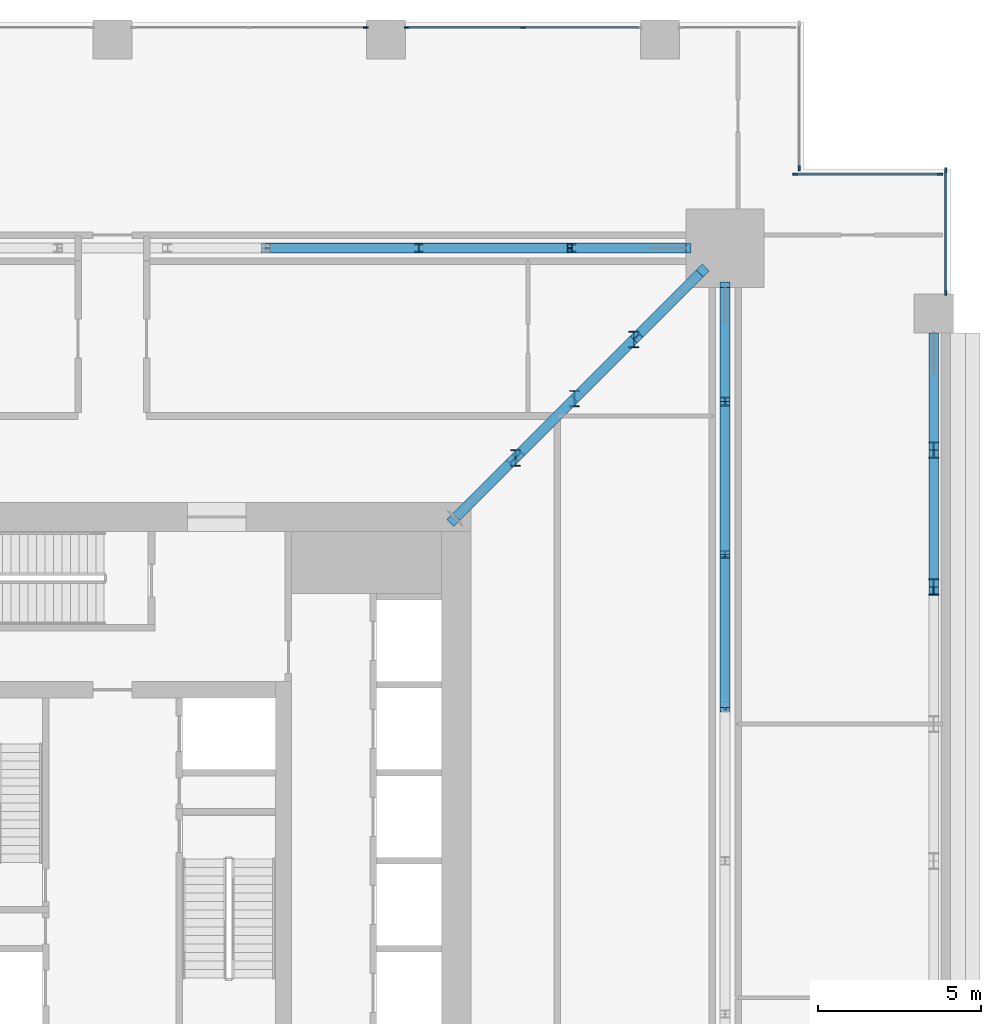
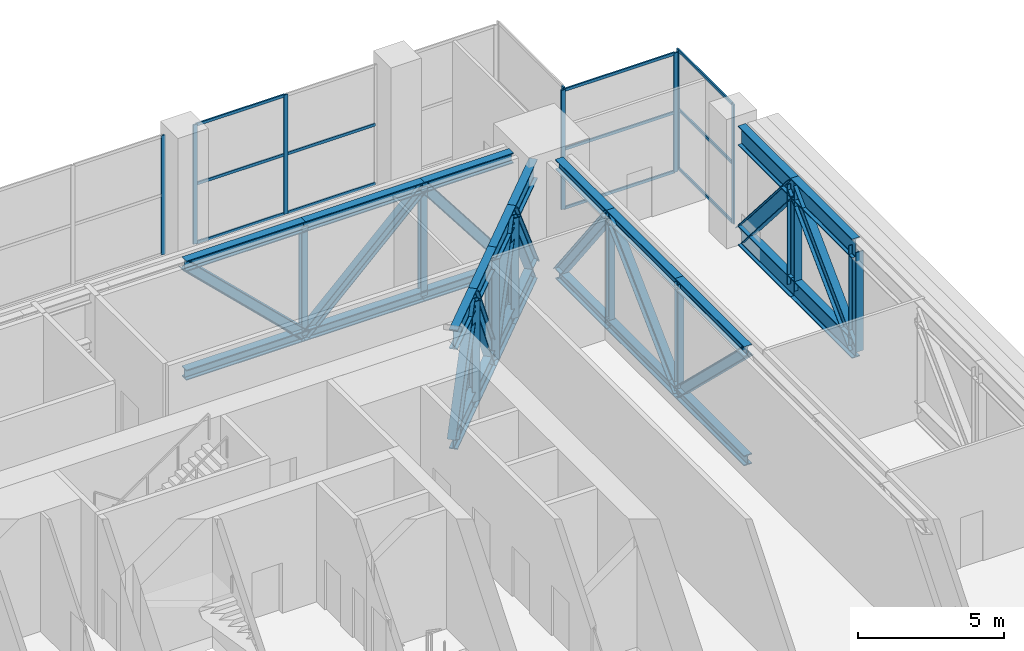
# One storey, part 9 of 21: 64 members, 5 elements without a shape of their own.
"""IFC4 building model written with IfcOpenShell, lengths in metres."""

from ifc_helpers import new_model, si_unit, direction, frame, origin, origin_2d, place, context, subcontext, project, spatial, rectangle, i_section, extrude, material, material_profile, profile_set, type_object, element, aggregate, save


model = new_model("IFC4")

# Units and contexts
model_context = context("Model", 3, precision=1e-05, world=origin(), true_north=direction((0.0, 1.0)))
body_context = subcontext(model_context, "Body", "Model", "MODEL_VIEW")
ifc_project = project(units=[si_unit("LENGTHUNIT", "METRE"), si_unit("AREAUNIT", "SQUARE_METRE"), si_unit("VOLUMEUNIT", "CUBIC_METRE"), si_unit("PLANEANGLEUNIT", "RADIAN"), si_unit("MASSUNIT", "GRAM", prefix="KILO")], contexts=[model_context])

# Site, building, storey
site_placement = place(None, origin())
site = spatial("IfcSite", under=ifc_project, at=site_placement, CompositionType="ELEMENT")
building_placement = place(site_placement, origin())
building = spatial("IfcBuilding", under=site, at=building_placement, Name="Khepri Terraces", CompositionType="ELEMENT")
storey_placement = place(building_placement, frame((0.0, 0.0, 235.199951171875)))
storey = spatial("IfcBuildingStorey", under=building, at=storey_placement, Name="L56", CompositionType="ELEMENT", Elevation=235.199951171875)

# Members
ifc_material_1 = material(Name="Steel S355", Category="steel")
ifc_material_profile_1 = material_profile(ifc_material_1, i_section(OverallWidth=0.306884765625, OverallDepth=0.431884765625, WebThickness=0.02099609375, FlangeThickness=0.0400390625, FilletRadius=0.027099609375, at=origin_2d()), Name="Steel S355", Category="steel")
ifc_profile_set_1 = profile_set([ifc_material_profile_1], Name="Steel S355")
member_type_1 = type_object("IfcMemberType", Name="Belt truss chord HEM 400", PredefinedType="CHORD", material=ifc_profile_set_1)
for number, where, z_axis, x_axis, name in (
    (1, (18.800048828125, 4.699951171875, 0.216064453125), (0.0, 1.0, 0.0), (-1.0, 0.0, 0.0), "Belt truss chord BT-56-E bottom 6"),
    (2, (18.800048828125, 4.699951171875, 4.76416015625), (0.0, 1.0, 0.0), (-1.0, 0.0, 0.0), "Belt truss chord BT-56-E top 6"),
):
    element("IfcMember", number, at=place(storey_placement, frame(where, z_axis=z_axis, x_axis=x_axis)), inside=storey, type_object=member_type_1, Name=name, PredefinedType="CHORD", context=body_context, shape_type="SweptSolid", body=[
        extrude(i_section(OverallWidth=0.306884765625, OverallDepth=0.431884765625, WebThickness=0.02099609375, FlangeThickness=0.0400390625, FilletRadius=0.027099609375, at=origin_2d()), origin(), (0.0, 0.0, 1.0), 4.699951171875),
    ])
for number, where, z_axis, x_axis, name in (
    (3, (18.800048828125, 9.39990234375, 0.216064453125), (0.0, 1.0, 0.0), (-1.0, 0.0, 0.0), "Belt truss chord BT-56-E bottom 7"),
    (4, (18.800048828125, 9.39990234375, 4.76416015625), (0.0, 1.0, 0.0), (-1.0, 0.0, 0.0), "Belt truss chord BT-56-E top 7"),
):
    element("IfcMember", number, at=place(storey_placement, frame(where, z_axis=z_axis, x_axis=x_axis)), inside=storey, type_object=member_type_1, Name=name, PredefinedType="CHORD", context=body_context, shape_type="SweptSolid", body=[
        extrude(i_section(OverallWidth=0.306884765625, OverallDepth=0.431884765625, WebThickness=0.02099609375, FlangeThickness=0.0400390625, FilletRadius=0.027099609375, at=origin_2d()), origin(), (0.0, 0.0, 1.0), 4.7001953125),
    ])
for number, where, z_axis, x_axis, name in (
    (5, (18.800048828125, 14.10009765625, 0.216064453125), (0.0, 1.0, 0.0), (-1.0, 0.0, 0.0), "Belt truss chord BT-56-E bottom 8"),
    (6, (18.800048828125, 14.10009765625, 4.76416015625), (0.0, 1.0, 0.0), (-1.0, 0.0, 0.0), "Belt truss chord BT-56-E top 8"),
    (7, (17.60009765625, 18.800048828125, 0.216064453125), (-1.0, 0.0, 0.0), (0.0, -1.0, 0.0), "Belt truss chord BT-56-N bottom 1"),
    (8, (17.60009765625, 18.800048828125, 4.76416015625), (-1.0, 0.0, 0.0), (0.0, -1.0, 0.0), "Belt truss chord BT-56-N top 1"),
):
    element("IfcMember", number, at=place(storey_placement, frame(where, z_axis=z_axis, x_axis=x_axis)), inside=storey, type_object=member_type_1, Name=name, PredefinedType="CHORD", context=body_context, shape_type="SweptSolid", body=[
        extrude(i_section(OverallWidth=0.306884765625, OverallDepth=0.431884765625, WebThickness=0.02099609375, FlangeThickness=0.0400390625, FilletRadius=0.027099609375, at=origin_2d()), origin(), (0.0, 0.0, 1.0), 3.5),
    ])
for number, where, z_axis, x_axis, name in (
    (9, (14.10009765625, 18.800048828125, 0.216064453125), (-1.0, 0.0, 0.0), (0.0, -1.0, 0.0), "Belt truss chord BT-56-N bottom 2"),
    (10, (14.10009765625, 18.800048828125, 4.76416015625), (-1.0, 0.0, 0.0), (0.0, -1.0, 0.0), "Belt truss chord BT-56-N top 2"),
):
    element("IfcMember", number, at=place(storey_placement, frame(where, z_axis=z_axis, x_axis=x_axis)), inside=storey, type_object=member_type_1, Name=name, PredefinedType="CHORD", context=body_context, shape_type="SweptSolid", body=[
        extrude(i_section(OverallWidth=0.306884765625, OverallDepth=0.431884765625, WebThickness=0.02099609375, FlangeThickness=0.0400390625, FilletRadius=0.027099609375, at=origin_2d()), origin(), (0.0, 0.0, 1.0), 4.7001953125),
    ])
for number, where, z_axis, x_axis, name in (
    (11, (9.39990234375, 18.800048828125, 0.216064453125), (-1.0, 0.0, 0.0), (0.0, -1.0, 0.0), "Belt truss chord BT-56-N bottom 3"),
    (12, (9.39990234375, 18.800048828125, 4.76416015625), (-1.0, 0.0, 0.0), (0.0, -1.0, 0.0), "Belt truss chord BT-56-N top 3"),
):
    element("IfcMember", number, at=place(storey_placement, frame(where, z_axis=z_axis, x_axis=x_axis)), inside=storey, type_object=member_type_1, Name=name, PredefinedType="CHORD", context=body_context, shape_type="SweptSolid", body=[
        extrude(i_section(OverallWidth=0.306884765625, OverallDepth=0.431884765625, WebThickness=0.02099609375, FlangeThickness=0.0400390625, FilletRadius=0.027099609375, at=origin_2d()), origin(), (0.0, 0.0, 1.0), 4.699951171875),
    ])
ifc_material_profile_2 = material_profile(ifc_material_1, i_section(OverallWidth=0.300048828125, OverallDepth=0.39990234375, WebThickness=0.013427734375, FlangeThickness=0.02392578125, FilletRadius=0.027099609375, at=origin_2d()), Name="Steel S355", Category="steel")
ifc_profile_set_2 = profile_set([ifc_material_profile_2], Name="Steel S355")
member_type_2 = type_object("IfcMemberType", Name="Belt truss diagonal HEB 400", PredefinedType="BRACE", material=ifc_profile_set_2)
member_1_placement = place(storey_placement, frame((18.800048828125, 4.699951171875, 4.76416015625), z_axis=(0.0, 0.718620795984, -0.695402150974), x_axis=(-1.0, 0.0, 0.0)))
element("IfcMember", 13, at=member_1_placement, inside=storey, type_object=member_type_2, Name="Belt truss diagonal BT-56-E 6", PredefinedType="BRACE", context=body_context, shape_type="SweptSolid", body=[
    extrude(i_section(OverallWidth=0.300048828125, OverallDepth=0.39990234375, WebThickness=0.013427734375, FlangeThickness=0.02392578125, FilletRadius=0.027099609375, at=origin_2d()), origin(), (0.0, 0.0, 1.0), 6.540283203125),
])
member_2_placement = place(storey_placement, frame((18.800048828125, 9.39990234375, 0.216064453125), z_axis=(0.0, 0.718638846976, 0.695383496796), x_axis=(-1.0, 0.0, 0.0)))
element("IfcMember", 14, at=member_2_placement, inside=storey, type_object=member_type_2, Name="Belt truss diagonal BT-56-E 7", PredefinedType="BRACE", context=body_context, shape_type="SweptSolid", body=[
    extrude(i_section(OverallWidth=0.300048828125, OverallDepth=0.39990234375, WebThickness=0.013427734375, FlangeThickness=0.02392578125, FilletRadius=0.027099609375, at=origin_2d()), origin(), (0.0, 0.0, 1.0), 6.54052734375),
])
for number, where, z_axis, x_axis, name in (
    (15, (18.800048828125, 14.10009765625, 4.76416015625), (0.0, 0.609871108259, -0.792500619123), (-1.0, 0.0, 0.0), "Belt truss diagonal BT-56-E 8"),
    (16, (17.60009765625, 18.800048828125, 0.216064453125), (-0.609871108259, 0.0, 0.792500619123), (0.0, -1.0, 0.0), "Belt truss diagonal BT-56-N 1"),
):
    element("IfcMember", number, at=place(storey_placement, frame(where, z_axis=z_axis, x_axis=x_axis)), inside=storey, type_object=member_type_2, Name=name, PredefinedType="BRACE", context=body_context, shape_type="SweptSolid", body=[
        extrude(i_section(OverallWidth=0.300048828125, OverallDepth=0.39990234375, WebThickness=0.013427734375, FlangeThickness=0.02392578125, FilletRadius=0.027099609375, at=origin_2d()), origin(), (0.0, 0.0, 1.0), 5.739013671875),
    ])
member_3_placement = place(storey_placement, frame((14.10009765625, 18.800048828125, 4.76416015625), z_axis=(-0.718638846976, 0.0, -0.695383496796), x_axis=(0.0, -1.0, 0.0)))
element("IfcMember", 17, at=member_3_placement, inside=storey, type_object=member_type_2, Name="Belt truss diagonal BT-56-N 2", PredefinedType="BRACE", context=body_context, shape_type="SweptSolid", body=[
    extrude(i_section(OverallWidth=0.300048828125, OverallDepth=0.39990234375, WebThickness=0.013427734375, FlangeThickness=0.02392578125, FilletRadius=0.027099609375, at=origin_2d()), origin(), (0.0, 0.0, 1.0), 6.54052734375),
])
member_4_placement = place(storey_placement, frame((9.39990234375, 18.800048828125, 0.216064453125), z_axis=(-0.718620795984, 0.0, 0.695402150974), x_axis=(0.0, -1.0, 0.0)))
element("IfcMember", 18, at=member_4_placement, inside=storey, type_object=member_type_2, Name="Belt truss diagonal BT-56-N 3", PredefinedType="BRACE", context=body_context, shape_type="SweptSolid", body=[
    extrude(i_section(OverallWidth=0.300048828125, OverallDepth=0.39990234375, WebThickness=0.013427734375, FlangeThickness=0.02392578125, FilletRadius=0.027099609375, at=origin_2d()), origin(), (0.0, 0.0, 1.0), 6.540283203125),
])
ifc_material_profile_3 = material_profile(ifc_material_1, i_section(OverallWidth=0.239990234375, OverallDepth=0.239990234375, WebThickness=0.010009765625, FlangeThickness=0.01708984375, FilletRadius=0.02099609375, at=origin_2d()), Name="Steel S355", Category="steel")
ifc_profile_set_3 = profile_set([ifc_material_profile_3], Name="Steel S355")
member_type_3 = type_object("IfcMemberType", Name="Belt truss post HEB 240", PredefinedType="POST", material=ifc_profile_set_3)
for number, where, z_axis, x_axis, name in (
    (19, (18.800048828125, 9.39990234375, 0.216064453125), (0.0, 0.0, 1.0), (1.0, 0.0, 0.0), "Belt truss post BT-56-E 6"),
    (20, (18.800048828125, 14.10009765625, 0.216064453125), (0.0, 0.0, 1.0), (1.0, 0.0, 0.0), "Belt truss post BT-56-E 7"),
    (21, (14.10009765625, 18.800048828125, 0.216064453125), (0.0, 0.0, 1.0), (1.0, 0.0, 0.0), "Belt truss post BT-56-N 1"),
    (22, (9.39990234375, 18.800048828125, 0.216064453125), (0.0, 0.0, 1.0), (1.0, 0.0, 0.0), "Belt truss post BT-56-N 2"),
):
    element("IfcMember", number, at=place(storey_placement, frame(where, z_axis=z_axis, x_axis=x_axis)), inside=storey, type_object=member_type_3, Name=name, PredefinedType="POST", context=body_context, shape_type="SweptSolid", body=[
        extrude(i_section(OverallWidth=0.239990234375, OverallDepth=0.239990234375, WebThickness=0.010009765625, FlangeThickness=0.01708984375, FilletRadius=0.02099609375, at=origin_2d()), origin(), (0.0, 0.0, 1.0), 4.548095703125),
    ])

# Curtain wall, members
ifc_material_2 = material(Name="Anodised aluminium bronze curtain wall", Category="aluminium")
curtain_wall_type = type_object("IfcCurtainWallType", Name="CW-SYS3-SKY", PredefinedType="NOTDEFINED", material=ifc_material_2)
curtain_wall_1_placement = place(storey_placement, origin())
curtain_wall_1 = element("IfcCurtainWall", 23, at=curtain_wall_1_placement, inside=storey, type_object=curtain_wall_type, Name="Curtain wall CW3 L56 E", PredefinedType="NOTDEFINED")
ifc_material_3 = material(Name="Anodised aluminium bronze", Category="aluminium")
ifc_material_profile_4 = material_profile(ifc_material_3, rectangle(XDim=0.06005859375, YDim=0.159912109375, at=origin_2d()), Name="Anodised aluminium bronze", Category="aluminium")
ifc_profile_set_4 = profile_set([ifc_material_profile_4], Name="Anodised aluminium bronze")
member_type_4 = type_object("IfcMemberType", Name="CW-MULLION-60x160", PredefinedType="MULLION", material=ifc_profile_set_4)
member_5_placement = place(storey_placement, frame((25.570068359375, 17.429931640625, 0.0), z_axis=(0.0, 0.0, 1.0), x_axis=(-1.0, 0.0, 0.0)))
member_5 = element("IfcMember", 24, at=member_5_placement, type_object=member_type_4, Name="CW3 mullion 1", PredefinedType="MULLION", context=body_context, shape_type="SweptSolid", body=[
    extrude(rectangle(XDim=0.06005859375, YDim=0.159912109375, at=origin_2d()), origin(), (0.0, 0.0, 1.0), 4.97998046875),
])
member_6_placement = place(storey_placement, frame((25.570068359375, 21.18994140625, 0.0), z_axis=(0.0, 0.0, 1.0), x_axis=(-1.0, 0.0, 0.0)))
member_6 = element("IfcMember", 25, at=member_6_placement, type_object=member_type_4, Name="CW3 mullion 2", PredefinedType="MULLION", context=body_context, shape_type="SweptSolid", body=[
    extrude(rectangle(XDim=0.06005859375, YDim=0.159912109375, at=origin_2d()), origin(), (0.0, 0.0, 1.0), 4.97998046875),
])

curtain_wall_2_placement = place(storey_placement, origin())
curtain_wall_2 = element("IfcCurtainWall", 26, at=curtain_wall_2_placement, inside=storey, type_object=curtain_wall_type, Name="Curtain wall CW3 L56 N", PredefinedType="NOTDEFINED")
member_7_placement = place(storey_placement, frame((25.389892578125, 21.070068359375, 0.0), z_axis=(0.0, 0.0, 1.0), x_axis=(0.0, -1.0, 0.0)))
member_7 = element("IfcMember", 27, at=member_7_placement, type_object=member_type_4, Name="CW3 mullion 1", PredefinedType="MULLION", context=body_context, shape_type="SweptSolid", body=[
    extrude(rectangle(XDim=0.06005859375, YDim=0.159912109375, at=origin_2d()), origin(), (0.0, 0.0, 1.0), 4.97998046875),
])
member_8_placement = place(storey_placement, frame((20.949951171875, 21.070068359375, 0.0), z_axis=(0.0, 0.0, 1.0), x_axis=(0.0, -1.0, 0.0)))
member_8 = element("IfcMember", 28, at=member_8_placement, type_object=member_type_4, Name="CW3 mullion 2", PredefinedType="MULLION", context=body_context, shape_type="SweptSolid", body=[
    extrude(rectangle(XDim=0.06005859375, YDim=0.159912109375, at=origin_2d()), origin(), (0.0, 0.0, 1.0), 4.97998046875),
])

# Curtain wall, member
curtain_wall_3_placement = place(storey_placement, origin())
curtain_wall_3 = element("IfcCurtainWall", 29, at=curtain_wall_3_placement, inside=storey, type_object=curtain_wall_type, Name="Curtain wall CW3 L56 E", PredefinedType="NOTDEFINED")
member_9_placement = place(storey_placement, frame((21.070068359375, 21.25, 0.0), z_axis=(0.0, 0.0, 1.0), x_axis=(-1.0, 0.0, 0.0)))
member_9 = element("IfcMember", 30, at=member_9_placement, type_object=member_type_4, Name="CW3 mullion 1", PredefinedType="MULLION", context=body_context, shape_type="SweptSolid", body=[
    extrude(rectangle(XDim=0.06005859375, YDim=0.159912109375, at=origin_2d()), origin(), (0.0, 0.0, 1.0), 4.97998046875),
])
aggregate(curtain_wall_3, [member_9])

# Curtain wall, members
curtain_wall_4_placement = place(storey_placement, origin())
curtain_wall_4 = element("IfcCurtainWall", 31, at=curtain_wall_4_placement, inside=storey, type_object=curtain_wall_type, Name="Curtain wall CW3 L56 N", PredefinedType="NOTDEFINED")
member_10_placement = place(storey_placement, frame((12.60009765625, 25.570068359375, 0.0), z_axis=(0.0, 0.0, 1.0), x_axis=(0.0, -1.0, 0.0)))
member_10 = element("IfcMember", 32, at=member_10_placement, type_object=member_type_4, Name="CW3 mullion 2", PredefinedType="MULLION", context=body_context, shape_type="SweptSolid", body=[
    extrude(rectangle(XDim=0.06005859375, YDim=0.159912109375, at=origin_2d()), origin(), (0.0, 0.0, 1.0), 4.97998046875),
])
member_11_placement = place(storey_placement, frame((9.030029296875, 25.570068359375, 0.0), z_axis=(0.0, 0.0, 1.0), x_axis=(0.0, -1.0, 0.0)))
member_11 = element("IfcMember", 33, at=member_11_placement, type_object=member_type_4, Name="CW3 mullion 3", PredefinedType="MULLION", context=body_context, shape_type="SweptSolid", body=[
    extrude(rectangle(XDim=0.06005859375, YDim=0.159912109375, at=origin_2d()), origin(), (0.0, 0.0, 1.0), 4.97998046875),
])

# Curtain wall, member
curtain_wall_5_placement = place(storey_placement, origin())
curtain_wall_5 = element("IfcCurtainWall", 34, at=curtain_wall_5_placement, inside=storey, type_object=curtain_wall_type, Name="Curtain wall CW3 L56 N", PredefinedType="NOTDEFINED")
member_12_placement = place(storey_placement, frame((7.77001953125, 25.570068359375, 0.0), z_axis=(0.0, 0.0, 1.0), x_axis=(0.0, -1.0, 0.0)))
member_12 = element("IfcMember", 35, at=member_12_placement, type_object=member_type_4, Name="CW3 mullion 1", PredefinedType="MULLION", context=body_context, shape_type="SweptSolid", body=[
    extrude(rectangle(XDim=0.06005859375, YDim=0.159912109375, at=origin_2d()), origin(), (0.0, 0.0, 1.0), 4.97998046875),
])
aggregate(curtain_wall_5, [member_12])

# Member
ifc_material_profile_5 = material_profile(ifc_material_3, rectangle(XDim=0.06005859375, YDim=0.1201171875, at=origin_2d()), Name="Anodised aluminium bronze", Category="aluminium")
ifc_profile_set_5 = profile_set([ifc_material_profile_5], Name="Anodised aluminium bronze")
member_type_5 = type_object("IfcMemberType", Name="CW-TRANSOM-60x120", PredefinedType="USERDEFINED", material=ifc_profile_set_5)
member_13_placement = place(storey_placement, frame((25.570068359375, 17.4599609375, 0.030029296875), z_axis=(0.0, 1.0, 0.0), x_axis=(-1.0, 0.0, 0.0)))
member_13 = element("IfcMember", 36, at=member_13_placement, type_object=member_type_5, Name="CW3 transom 1.1", ObjectType="TRANSOM", PredefinedType="USERDEFINED", context=body_context, shape_type="SweptSolid", body=[
    extrude(rectangle(XDim=0.06005859375, YDim=0.1201171875, at=origin_2d()), origin(), (0.0, 0.0, 1.0), 3.699951171875),
])

member_14_placement = place(storey_placement, frame((25.570068359375, 17.4599609375, 2.489990234375), z_axis=(0.0, 1.0, 0.0), x_axis=(-1.0, 0.0, 0.0)))
member_14 = element("IfcMember", 37, at=member_14_placement, type_object=member_type_5, Name="CW3 transom 1.2", ObjectType="TRANSOM", PredefinedType="USERDEFINED", context=body_context, shape_type="SweptSolid", body=[
    extrude(rectangle(XDim=0.06005859375, YDim=0.1201171875, at=origin_2d()), origin(), (0.0, 0.0, 1.0), 3.699951171875),
])

member_15_placement = place(storey_placement, frame((25.570068359375, 17.4599609375, 4.949951171875), z_axis=(0.0, 1.0, 0.0), x_axis=(-1.0, 0.0, 0.0)))
member_15 = element("IfcMember", 38, at=member_15_placement, type_object=member_type_5, Name="CW3 transom 1.3", ObjectType="TRANSOM", PredefinedType="USERDEFINED", context=body_context, shape_type="SweptSolid", body=[
    extrude(rectangle(XDim=0.06005859375, YDim=0.1201171875, at=origin_2d()), origin(), (0.0, 0.0, 1.0), 3.699951171875),
])

aggregate(curtain_wall_1, [member_5, member_6, member_13, member_14, member_15])

member_16_placement = place(storey_placement, frame((25.360107421875, 21.070068359375, 0.030029296875), z_axis=(-1.0, 0.0, 0.0), x_axis=(0.0, -1.0, 0.0)))
member_16 = element("IfcMember", 39, at=member_16_placement, type_object=member_type_5, Name="CW3 transom 1.1", ObjectType="TRANSOM", PredefinedType="USERDEFINED", context=body_context, shape_type="SweptSolid", body=[
    extrude(rectangle(XDim=0.06005859375, YDim=0.1201171875, at=origin_2d()), origin(), (0.0, 0.0, 1.0), 4.380126953125),
])

member_17_placement = place(storey_placement, frame((25.360107421875, 21.070068359375, 2.489990234375), z_axis=(-1.0, 0.0, 0.0), x_axis=(0.0, -1.0, 0.0)))
member_17 = element("IfcMember", 40, at=member_17_placement, type_object=member_type_5, Name="CW3 transom 1.2", ObjectType="TRANSOM", PredefinedType="USERDEFINED", context=body_context, shape_type="SweptSolid", body=[
    extrude(rectangle(XDim=0.06005859375, YDim=0.1201171875, at=origin_2d()), origin(), (0.0, 0.0, 1.0), 4.380126953125),
])

member_18_placement = place(storey_placement, frame((25.360107421875, 21.070068359375, 4.949951171875), z_axis=(-1.0, 0.0, 0.0), x_axis=(0.0, -1.0, 0.0)))
member_18 = element("IfcMember", 41, at=member_18_placement, type_object=member_type_5, Name="CW3 transom 1.3", ObjectType="TRANSOM", PredefinedType="USERDEFINED", context=body_context, shape_type="SweptSolid", body=[
    extrude(rectangle(XDim=0.06005859375, YDim=0.1201171875, at=origin_2d()), origin(), (0.0, 0.0, 1.0), 4.380126953125),
])

aggregate(curtain_wall_2, [member_7, member_8, member_16, member_17, member_18])

member_19_placement = place(storey_placement, frame((16.139892578125, 25.570068359375, 0.030029296875), z_axis=(-1.0, 0.0, 0.0), x_axis=(0.0, -1.0, 0.0)))
member_19 = element("IfcMember", 42, at=member_19_placement, type_object=member_type_5, Name="CW3 transom 1.1", ObjectType="TRANSOM", PredefinedType="USERDEFINED", context=body_context, shape_type="SweptSolid", body=[
    extrude(rectangle(XDim=0.06005859375, YDim=0.1201171875, at=origin_2d()), origin(), (0.0, 0.0, 1.0), 3.510009765625),
])

member_20_placement = place(storey_placement, frame((16.139892578125, 25.570068359375, 2.489990234375), z_axis=(-1.0, 0.0, 0.0), x_axis=(0.0, -1.0, 0.0)))
member_20 = element("IfcMember", 43, at=member_20_placement, type_object=member_type_5, Name="CW3 transom 1.2", ObjectType="TRANSOM", PredefinedType="USERDEFINED", context=body_context, shape_type="SweptSolid", body=[
    extrude(rectangle(XDim=0.06005859375, YDim=0.1201171875, at=origin_2d()), origin(), (0.0, 0.0, 1.0), 3.510009765625),
])

member_21_placement = place(storey_placement, frame((12.570068359375, 25.570068359375, 0.030029296875), z_axis=(-1.0, 0.0, 0.0), x_axis=(0.0, -1.0, 0.0)))
member_21 = element("IfcMember", 44, at=member_21_placement, type_object=member_type_5, Name="CW3 transom 2.1", ObjectType="TRANSOM", PredefinedType="USERDEFINED", context=body_context, shape_type="SweptSolid", body=[
    extrude(rectangle(XDim=0.06005859375, YDim=0.1201171875, at=origin_2d()), origin(), (0.0, 0.0, 1.0), 3.510009765625),
])

member_22_placement = place(storey_placement, frame((12.570068359375, 25.570068359375, 2.489990234375), z_axis=(-1.0, 0.0, 0.0), x_axis=(0.0, -1.0, 0.0)))
member_22 = element("IfcMember", 45, at=member_22_placement, type_object=member_type_5, Name="CW3 transom 2.2", ObjectType="TRANSOM", PredefinedType="USERDEFINED", context=body_context, shape_type="SweptSolid", body=[
    extrude(rectangle(XDim=0.06005859375, YDim=0.1201171875, at=origin_2d()), origin(), (0.0, 0.0, 1.0), 3.510009765625),
])

member_23_placement = place(storey_placement, frame((12.570068359375, 25.570068359375, 4.949951171875), z_axis=(-1.0, 0.0, 0.0), x_axis=(0.0, -1.0, 0.0)))
member_23 = element("IfcMember", 46, at=member_23_placement, type_object=member_type_5, Name="CW3 transom 2.3", ObjectType="TRANSOM", PredefinedType="USERDEFINED", context=body_context, shape_type="SweptSolid", body=[
    extrude(rectangle(XDim=0.06005859375, YDim=0.1201171875, at=origin_2d()), origin(), (0.0, 0.0, 1.0), 3.510009765625),
])

aggregate(curtain_wall_4, [member_10, member_11, member_19, member_20, member_21, member_22, member_23])

# Members
ifc_material_profile_6 = material_profile(ifc_material_1, i_section(OverallWidth=0.302978515625, OverallDepth=0.81396484375, WebThickness=0.02099609375, FlangeThickness=0.0400390625, FilletRadius=0.030029296875, at=origin_2d()), Name="Steel S355", Category="steel")
ifc_profile_set_6 = profile_set([ifc_material_profile_6], Name="Steel S355")
member_type_6 = type_object("IfcMemberType", Name="Outrigger chord HEM 800", PredefinedType="CHORD", material=ifc_profile_set_6)
for number, where, z_axis, x_axis, name in (
    (47, (10.550048828125, 10.550048828125, 0.406982421875), (0.707106781187, 0.707106781187, 0.0), (-0.707106781187, 0.707106781187, 0.0), "Outrigger chord OT-56-EN bottom 1"),
    (48, (10.550048828125, 10.550048828125, 4.572998046875), (0.707106781187, 0.707106781187, 0.0), (-0.707106781187, 0.707106781187, 0.0), "Outrigger chord OT-56-EN top 1"),
):
    element("IfcMember", number, at=place(storey_placement, frame(where, z_axis=z_axis, x_axis=x_axis)), inside=storey, type_object=member_type_6, Name=name, PredefinedType="CHORD", context=body_context, shape_type="SweptSolid", body=[
        extrude(i_section(OverallWidth=0.302978515625, OverallDepth=0.81396484375, WebThickness=0.02099609375, FlangeThickness=0.0400390625, FilletRadius=0.030029296875, at=origin_2d()), origin(), (0.0, 0.0, 1.0), 2.5673828125),
    ])
for number, where, z_axis, x_axis, name in (
    (49, (12.365478515625, 12.365478515625, 0.406982421875), (0.707106781187, 0.707106781187, 0.0), (-0.707106781187, 0.707106781187, 0.0), "Outrigger chord OT-56-EN bottom 2"),
    (50, (12.365478515625, 12.365478515625, 4.572998046875), (0.707106781187, 0.707106781187, 0.0), (-0.707106781187, 0.707106781187, 0.0), "Outrigger chord OT-56-EN top 2"),
):
    element("IfcMember", number, at=place(storey_placement, frame(where, z_axis=z_axis, x_axis=x_axis)), inside=storey, type_object=member_type_6, Name=name, PredefinedType="CHORD", context=body_context, shape_type="SweptSolid", body=[
        extrude(i_section(OverallWidth=0.302978515625, OverallDepth=0.81396484375, WebThickness=0.02099609375, FlangeThickness=0.0400390625, FilletRadius=0.030029296875, at=origin_2d()), origin(), (0.0, 0.0, 1.0), 2.56787109375),
    ])
for number, where, z_axis, x_axis, name in (
    (51, (14.18115234375, 14.18115234375, 0.406982421875), (0.707106781187, 0.707106781187, 0.0), (-0.707106781187, 0.707106781187, 0.0), "Outrigger chord OT-56-EN bottom 3"),
    (52, (14.18115234375, 14.18115234375, 4.572998046875), (0.707106781187, 0.707106781187, 0.0), (-0.707106781187, 0.707106781187, 0.0), "Outrigger chord OT-56-EN top 3"),
):
    element("IfcMember", number, at=place(storey_placement, frame(where, z_axis=z_axis, x_axis=x_axis)), inside=storey, type_object=member_type_6, Name=name, PredefinedType="CHORD", context=body_context, shape_type="SweptSolid", body=[
        extrude(i_section(OverallWidth=0.302978515625, OverallDepth=0.81396484375, WebThickness=0.02099609375, FlangeThickness=0.0400390625, FilletRadius=0.030029296875, at=origin_2d()), origin(), (0.0, 0.0, 1.0), 2.5673828125),
    ])
for number, where, z_axis, x_axis, name in (
    (53, (15.99658203125, 15.99658203125, 0.406982421875), (0.707106781187, 0.707106781187, 0.0), (-0.707106781187, 0.707106781187, 0.0), "Outrigger chord OT-56-EN bottom 4"),
    (54, (15.99658203125, 15.99658203125, 4.572998046875), (0.707106781187, 0.707106781187, 0.0), (-0.707106781187, 0.707106781187, 0.0), "Outrigger chord OT-56-EN top 4"),
):
    element("IfcMember", number, at=place(storey_placement, frame(where, z_axis=z_axis, x_axis=x_axis)), inside=storey, type_object=member_type_6, Name=name, PredefinedType="CHORD", context=body_context, shape_type="SweptSolid", body=[
        extrude(i_section(OverallWidth=0.302978515625, OverallDepth=0.81396484375, WebThickness=0.02099609375, FlangeThickness=0.0400390625, FilletRadius=0.030029296875, at=origin_2d()), origin(), (0.0, 0.0, 1.0), 2.86474609375),
    ])
ifc_material_profile_7 = material_profile(ifc_material_1, i_section(OverallWidth=0.304931640625, OverallDepth=0.6201171875, WebThickness=0.02099609375, FlangeThickness=0.0400390625, FilletRadius=0.027099609375, at=origin_2d()), Name="Steel S355", Category="steel")
ifc_profile_set_7 = profile_set([ifc_material_profile_7], Name="Steel S355")
member_type_7 = type_object("IfcMemberType", Name="Outrigger diagonal HEM 600", PredefinedType="BRACE", material=ifc_profile_set_7)
member_24_placement = place(storey_placement, frame((10.550048828125, 10.550048828125, 0.406982421875), z_axis=(0.370980902903, 0.370980902903, 0.85132035061), x_axis=(-0.707106781187, 0.707106781187, 0.0)))
element("IfcMember", 55, at=member_24_placement, inside=storey, type_object=member_type_7, Name="Outrigger diagonal OT-56-EN 1", PredefinedType="BRACE", context=body_context, shape_type="SweptSolid", body=[
    extrude(i_section(OverallWidth=0.304931640625, OverallDepth=0.6201171875, WebThickness=0.02099609375, FlangeThickness=0.0400390625, FilletRadius=0.027099609375, at=origin_2d()), origin(), (0.0, 0.0, 1.0), 4.8935546875),
])
member_25_placement = place(storey_placement, frame((12.365478515625, 12.365478515625, 4.572998046875), z_axis=(0.371017058379, 0.371017058379, -0.851288837459), x_axis=(-0.707106781187, 0.707106781187, 0.0)))
element("IfcMember", 56, at=member_25_placement, inside=storey, type_object=member_type_7, Name="Outrigger diagonal OT-56-EN 2", PredefinedType="BRACE", context=body_context, shape_type="SweptSolid", body=[
    extrude(i_section(OverallWidth=0.304931640625, OverallDepth=0.6201171875, WebThickness=0.02099609375, FlangeThickness=0.0400390625, FilletRadius=0.027099609375, at=origin_2d()), origin(), (0.0, 0.0, 1.0), 4.893798828125),
])
member_26_placement = place(storey_placement, frame((14.18115234375, 14.18115234375, 0.406982421875), z_axis=(0.370980902903, 0.370980902903, 0.85132035061), x_axis=(-0.707106781187, 0.707106781187, 0.0)))
element("IfcMember", 57, at=member_26_placement, inside=storey, type_object=member_type_7, Name="Outrigger diagonal OT-56-EN 3", PredefinedType="BRACE", context=body_context, shape_type="SweptSolid", body=[
    extrude(i_section(OverallWidth=0.304931640625, OverallDepth=0.6201171875, WebThickness=0.02099609375, FlangeThickness=0.0400390625, FilletRadius=0.027099609375, at=origin_2d()), origin(), (0.0, 0.0, 1.0), 4.8935546875),
])
member_27_placement = place(storey_placement, frame((15.99658203125, 15.99658203125, 4.572998046875), z_axis=(0.400648073883, 0.400648073883, -0.823991651528), x_axis=(-0.707106781187, 0.707106781187, 0.0)))
element("IfcMember", 58, at=member_27_placement, inside=storey, type_object=member_type_7, Name="Outrigger diagonal OT-56-EN 4", PredefinedType="BRACE", context=body_context, shape_type="SweptSolid", body=[
    extrude(i_section(OverallWidth=0.304931640625, OverallDepth=0.6201171875, WebThickness=0.02099609375, FlangeThickness=0.0400390625, FilletRadius=0.027099609375, at=origin_2d()), origin(), (0.0, 0.0, 1.0), 5.055908203125),
])
ifc_material_profile_8 = material_profile(ifc_material_1, i_section(OverallWidth=0.300048828125, OverallDepth=0.5, WebThickness=0.014404296875, FlangeThickness=0.028076171875, FilletRadius=0.027099609375, at=origin_2d()), Name="Steel S355", Category="steel")
ifc_profile_set_8 = profile_set([ifc_material_profile_8], Name="Steel S355")
member_type_8 = type_object("IfcMemberType", Name="Outrigger post HEB 500", PredefinedType="POST", material=ifc_profile_set_8)
for number, where, z_axis, x_axis, name in (
    (59, (12.365478515625, 12.365478515625, 0.406982421875), (0.0, 0.0, 1.0), (1.0, 0.0, 0.0), "Outrigger post OT-56-EN 1"),
    (60, (14.18115234375, 14.18115234375, 0.406982421875), (0.0, 0.0, 1.0), (1.0, 0.0, 0.0), "Outrigger post OT-56-EN 2"),
    (61, (15.99658203125, 15.99658203125, 0.406982421875), (0.0, 0.0, 1.0), (1.0, 0.0, 0.0), "Outrigger post OT-56-EN 3"),
):
    element("IfcMember", number, at=place(storey_placement, frame(where, z_axis=z_axis, x_axis=x_axis)), inside=storey, type_object=member_type_8, Name=name, PredefinedType="POST", context=body_context, shape_type="SweptSolid", body=[
        extrude(i_section(OverallWidth=0.300048828125, OverallDepth=0.5, WebThickness=0.014404296875, FlangeThickness=0.028076171875, FilletRadius=0.027099609375, at=origin_2d()), origin(), (0.0, 0.0, 1.0), 4.166015625),
    ])
ifc_material_profile_9 = material_profile(ifc_material_1, i_section(OverallWidth=0.302978515625, OverallDepth=0.81396484375, WebThickness=0.02099609375, FlangeThickness=0.0400390625, FilletRadius=0.030029296875, at=origin_2d()), Name="Steel S355", Category="steel")
ifc_profile_set_9 = profile_set([ifc_material_profile_9], Name="Steel S355")
member_type_9 = type_object("IfcMemberType", Name="Transfer truss chord HEM 800", PredefinedType="CHORD", material=ifc_profile_set_9)
for number, where, z_axis, x_axis, name in (
    (62, (25.199951171875, 8.39990234375, 0.406982421875), (0.0, 1.0, 0.0), (-1.0, 0.0, 0.0), "Transfer truss chord TT-56-E bottom 7"),
    (63, (25.199951171875, 8.39990234375, 4.572998046875), (0.0, 1.0, 0.0), (-1.0, 0.0, 0.0), "Transfer truss chord TT-56-E top 7"),
):
    element("IfcMember", number, at=place(storey_placement, frame(where, z_axis=z_axis, x_axis=x_axis)), inside=storey, type_object=member_type_9, Name=name, PredefinedType="CHORD", context=body_context, shape_type="SweptSolid", body=[
        extrude(i_section(OverallWidth=0.302978515625, OverallDepth=0.81396484375, WebThickness=0.02099609375, FlangeThickness=0.0400390625, FilletRadius=0.030029296875, at=origin_2d()), origin(), (0.0, 0.0, 1.0), 4.2001953125),
    ])
for number, where, z_axis, x_axis, name in (
    (64, (25.199951171875, 12.60009765625, 0.406982421875), (0.0, 1.0, 0.0), (-1.0, 0.0, 0.0), "Transfer truss chord TT-56-E bottom 8"),
    (65, (25.199951171875, 12.60009765625, 4.572998046875), (0.0, 1.0, 0.0), (-1.0, 0.0, 0.0), "Transfer truss chord TT-56-E top 8"),
):
    element("IfcMember", number, at=place(storey_placement, frame(where, z_axis=z_axis, x_axis=x_axis)), inside=storey, type_object=member_type_9, Name=name, PredefinedType="CHORD", context=body_context, shape_type="SweptSolid", body=[
        extrude(i_section(OverallWidth=0.302978515625, OverallDepth=0.81396484375, WebThickness=0.02099609375, FlangeThickness=0.0400390625, FilletRadius=0.030029296875, at=origin_2d()), origin(), (0.0, 0.0, 1.0), 3.599853515625),
    ])
ifc_material_profile_10 = material_profile(ifc_material_1, i_section(OverallWidth=0.300048828125, OverallDepth=0.590087890625, WebThickness=0.012939453125, FlangeThickness=0.02490234375, FilletRadius=0.027099609375, at=origin_2d()), Name="Steel S355", Category="steel")
ifc_profile_set_10 = profile_set([ifc_material_profile_10], Name="Steel S355")
member_type_10 = type_object("IfcMemberType", Name="Transfer truss diagonal HEA 600", PredefinedType="BRACE", material=ifc_profile_set_10)
member_28_placement = place(storey_placement, frame((25.199951171875, 8.39990234375, 0.406982421875), z_axis=(0.0, 0.709989701304, 0.704212059001), x_axis=(-1.0, 0.0, 0.0)))
element("IfcMember", 66, at=member_28_placement, inside=storey, type_object=member_type_10, Name="Transfer truss diagonal TT-56-E 7", PredefinedType="BRACE", context=body_context, shape_type="SweptSolid", body=[
    extrude(i_section(OverallWidth=0.300048828125, OverallDepth=0.590087890625, WebThickness=0.012939453125, FlangeThickness=0.02490234375, FilletRadius=0.027099609375, at=origin_2d()), origin(), (0.0, 0.0, 1.0), 5.915771484375),
])
member_29_placement = place(storey_placement, frame((25.199951171875, 12.60009765625, 4.572998046875), z_axis=(0.0, 0.653820723819, -0.756649496864), x_axis=(-1.0, 0.0, 0.0)))
element("IfcMember", 67, at=member_29_placement, inside=storey, type_object=member_type_10, Name="Transfer truss diagonal TT-56-E 8", PredefinedType="BRACE", context=body_context, shape_type="SweptSolid", body=[
    extrude(i_section(OverallWidth=0.300048828125, OverallDepth=0.590087890625, WebThickness=0.012939453125, FlangeThickness=0.02490234375, FilletRadius=0.027099609375, at=origin_2d()), origin(), (0.0, 0.0, 1.0), 5.505859375),
])
ifc_material_profile_11 = material_profile(ifc_material_1, i_section(OverallWidth=0.300048828125, OverallDepth=0.5, WebThickness=0.014404296875, FlangeThickness=0.028076171875, FilletRadius=0.027099609375, at=origin_2d()), Name="Steel S355", Category="steel")
ifc_profile_set_11 = profile_set([ifc_material_profile_11], Name="Steel S355")
member_type_11 = type_object("IfcMemberType", Name="Transfer truss post HEB 500", PredefinedType="POST", material=ifc_profile_set_11)
for number, where, z_axis, x_axis, name in (
    (68, (25.199951171875, 8.39990234375, 0.406982421875), (0.0, 0.0, 1.0), (1.0, 0.0, 0.0), "Transfer truss post TT-56-E 6"),
    (69, (25.199951171875, 12.60009765625, 0.406982421875), (0.0, 0.0, 1.0), (1.0, 0.0, 0.0), "Transfer truss post TT-56-E 7"),
):
    element("IfcMember", number, at=place(storey_placement, frame(where, z_axis=z_axis, x_axis=x_axis)), inside=storey, type_object=member_type_11, Name=name, PredefinedType="POST", context=body_context, shape_type="SweptSolid", body=[
        extrude(i_section(OverallWidth=0.300048828125, OverallDepth=0.5, WebThickness=0.014404296875, FlangeThickness=0.028076171875, FilletRadius=0.027099609375, at=origin_2d()), origin(), (0.0, 0.0, 1.0), 4.166015625),
    ])

save(model, "model.ifc")
